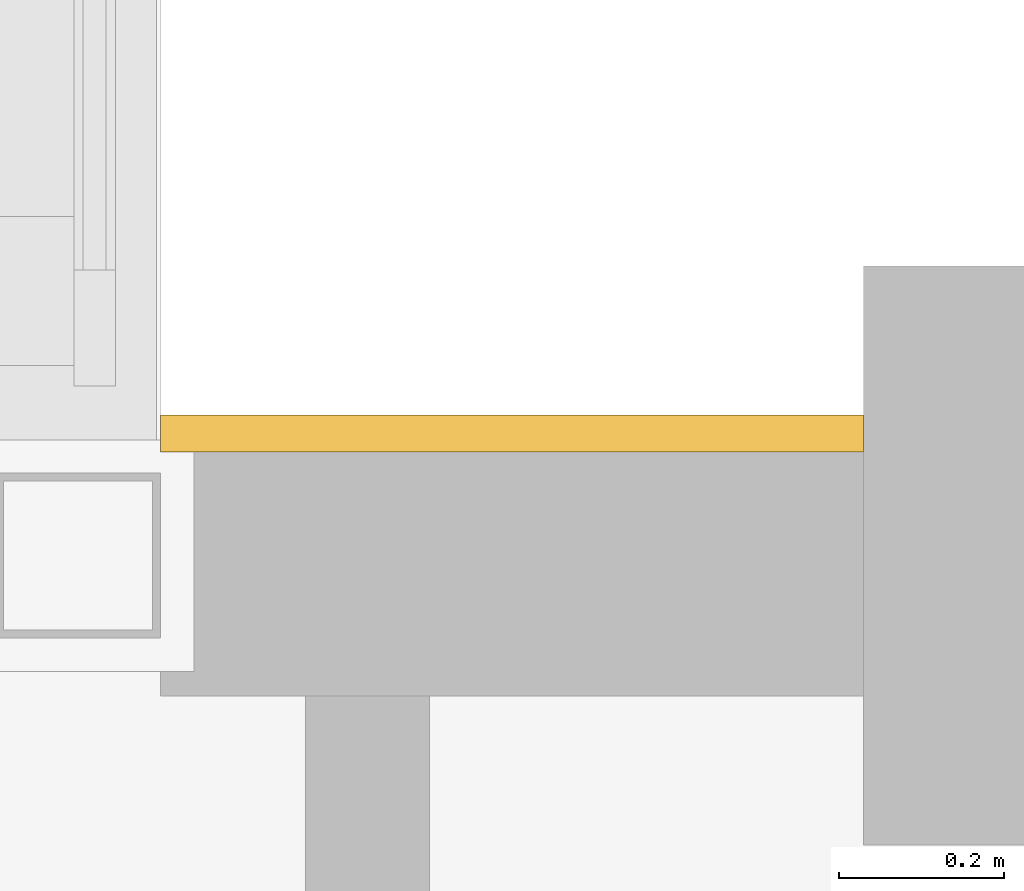
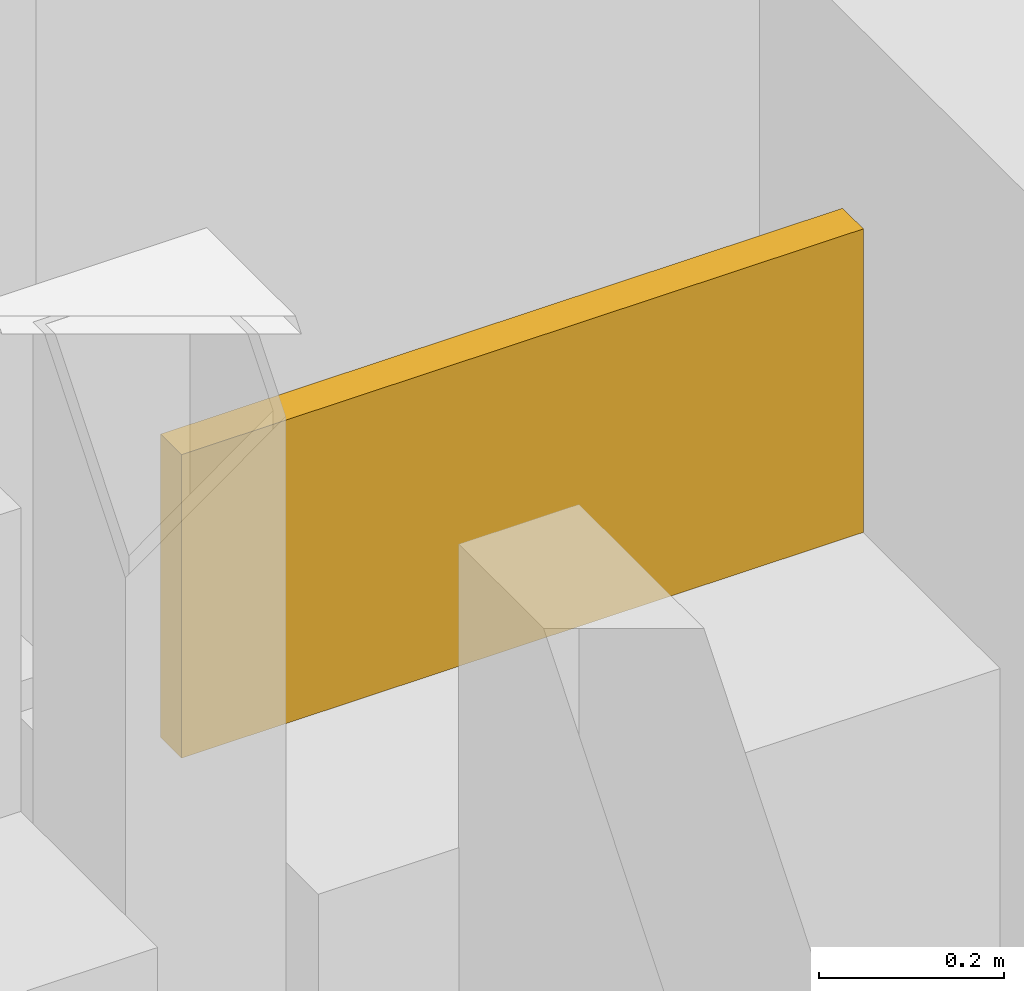
# One storey, part 130 of 131: 1 covering.
"""IFC4 building model written with IfcOpenShell, lengths in metres."""

import ifcopenshell
import ifcopenshell.guid

model = None  # the IFC model being written
_history = None  # IfcOwnerHistory: only IFC2X3 demands one
_inside = {}  # id of a spatial element -> (the spatial element, [elements in it])
_under = {}  # id of a project, library or spatial element -> (it, [spatial elements below it])
_declared = {}  # id of a project -> (the project, [libraries it declares])
_typed = {}  # id of a type object -> (the type object, [elements of that type])
_made_of = {}  # id of a material, layer set ... -> (it, [elements and type objects made of it])


def new_model(schema):
    """Start an empty IFC model of exactly this schema.

    Asked for "IFC4X3", IfcOpenShell would pick the latest addendum, in which some entities
    have other attributes; the version numbers below select the first issue.
    IFC2X3 requires an IfcOwnerHistory on every rooted entity: one is made here for all.
    """
    global model, _history
    if schema == "IFC4X3":
        model = ifcopenshell.file(schema_version=(4, 3, 0, 0))
    else:
        model = ifcopenshell.file(schema=schema)
    _inside.clear()
    _under.clear()
    _declared.clear()
    _typed.clear()
    _made_of.clear()
    _history = None
    if model.schema == "IFC2X3":
        org = make("IfcOrganization", Name="unknown")
        user = make(
            "IfcPersonAndOrganization",
            ThePerson=make("IfcPerson", FamilyName="unknown"),
            TheOrganization=org,
        )
        app = make(
            "IfcApplication",
            ApplicationDeveloper=org,
            Version="unknown",
            ApplicationFullName="unknown",
            ApplicationIdentifier="unknown",
        )
        _history = make(
            "IfcOwnerHistory",
            OwningUser=user,
            OwningApplication=app,
            ChangeAction="ADDED",
            CreationDate=0,
        )
    return model


def make(cls, **values):
    """One entity of the class cls with the attributes given. An attribute that is None is left unset."""
    return model.create_entity(
        cls, **{name: value for name, value in values.items() if value is not None}
    )


def rooted(cls, **values):
    """An entity with a GlobalId (a new one), such as an element, a storey or a relation."""
    return make(cls, GlobalId=ifcopenshell.guid.new(), OwnerHistory=_history, **values)


def si_unit(unit_type, name, prefix=None):
    """IfcSIUnit, for example si_unit("LENGTHUNIT", "METRE", prefix="MILLI")."""
    return make("IfcSIUnit", UnitType=unit_type, Prefix=prefix, Name=name)


def assignment(units):
    """IfcUnitAssignment: the units of a project."""
    return None if units is None else make("IfcUnitAssignment", Units=units)


def point(xyz):
    """IfcCartesianPoint."""
    return None if xyz is None else make("IfcCartesianPoint", Coordinates=xyz)


def direction(xyz):
    """IfcDirection."""
    return None if xyz is None else make("IfcDirection", DirectionRatios=xyz)


def frame(location, z_axis=None, x_axis=None):
    """IfcAxis2Placement3D, a coordinate frame: its origin and axes. An axis left out is left unset."""
    return make(
        "IfcAxis2Placement3D",
        Location=point(location),
        Axis=direction(z_axis),
        RefDirection=direction(x_axis),
    )


def frame_2d(location, x_axis=None):
    """IfcAxis2Placement2D, a coordinate frame in the plane: its origin and x axis."""
    return make(
        "IfcAxis2Placement2D", Location=point(location), RefDirection=direction(x_axis)
    )


def origin():
    """The frame at (0, 0, 0) with its axes left unset."""
    return frame((0.0, 0.0, 0.0))


def origin_2d():
    """The frame at (0, 0) in the plane with its x axis left unset."""
    return frame_2d((0.0, 0.0))


def place(relative_to, where):
    """IfcLocalPlacement: puts the frame where relative to a parent placement (None: the world)."""
    return make(
        "IfcLocalPlacement", PlacementRelTo=relative_to, RelativePlacement=where
    )


def context(
    kind, dimensions, precision=None, world=None, true_north=None, identifier=None
):
    """IfcGeometricRepresentationContext, for example the 3D "Model" context."""
    return make(
        "IfcGeometricRepresentationContext",
        ContextIdentifier=identifier,
        ContextType=kind,
        CoordinateSpaceDimension=dimensions,
        Precision=precision,
        WorldCoordinateSystem=world,
        TrueNorth=true_north,
    )


def subcontext(parent, identifier, kind, view, scale=None):
    """IfcGeometricRepresentationSubContext, for example "Body" below "Model"."""
    return make(
        "IfcGeometricRepresentationSubContext",
        ContextIdentifier=identifier,
        ContextType=kind,
        ParentContext=parent,
        TargetScale=scale,
        TargetView=view,
    )


def project(units=None, contexts=None):
    """IfcProject with its units and contexts."""
    return rooted(
        "IfcProject",
        Name="project",
        RepresentationContexts=contexts,
        UnitsInContext=assignment(units),
    )


def spatial(cls, under=None, at=None, **own):
    """A site, building, storey or space (cls), placed at a placement, below another one or the project."""
    s = rooted(cls, ObjectPlacement=at, **own)
    if under is not None:
        _under.setdefault(under.id(), (under, []))[1].append(s)
    return s


def profile(cls, at=None, kind="AREA", **sizes):
    """A parametric profile (cls). Its sizes go by their IFC names, for example OverallWidth=200.0."""
    return make(cls, ProfileType=kind, Position=at, **sizes)


def rectangle(**sizes):
    """IfcRectangleProfileDef."""
    return profile("IfcRectangleProfileDef", **sizes)


def extrude(swept, where, along, depth):
    """IfcExtrudedAreaSolid: the profile swept, set in the frame where, extruded along a direction by depth."""
    return make(
        "IfcExtrudedAreaSolid",
        SweptArea=swept,
        Position=where,
        ExtrudedDirection=direction(along),
        Depth=depth,
    )


def shape(context_of_items, identifier, shape_type, items):
    """IfcShapeRepresentation: the items that make up one representation, for example the "Body"."""
    return make(
        "IfcShapeRepresentation",
        ContextOfItems=context_of_items,
        RepresentationIdentifier=identifier,
        RepresentationType=shape_type,
        Items=items,
    )


def material(Name=None, Category=None):
    """IfcMaterial."""
    return make("IfcMaterial", Name=Name, Category=Category)


def layer(
    of_material, thickness, ventilated=None, Name=None, Category=None, Priority=None
):
    """IfcMaterialLayer: one layer of a wall or slab, of a material (None: an air gap)."""
    return make(
        "IfcMaterialLayer",
        Material=of_material,
        LayerThickness=thickness,
        IsVentilated=ventilated,
        Name=Name,
        Category=Category,
        Priority=Priority,
    )


def layer_set(layers, Name=None):
    """IfcMaterialLayerSet."""
    return make("IfcMaterialLayerSet", MaterialLayers=layers, LayerSetName=Name)


def made_of(thing, what):
    """Note that an element or type object is made of a material, layer set ...; save() writes the relation."""
    if what is not None:
        _made_of.setdefault(what.id(), (what, []))[1].append(thing)
    return thing


def type_object(cls, material=None, **own):
    """A type object (cls), such as IfcWallType, which elements share."""
    return made_of(rooted(cls, **own), material)


def element(
    cls,
    number,
    at=None,
    inside=None,
    cuts=None,
    type_object=None,
    material=None,
    context=None,
    identifier="Body",
    shape_type=None,
    held_by="IfcProductDefinitionShape",
    body=None,
    shapes=None,
    **own,
):
    """One element of the class cls, such as IfcWall. Its Tag is "e" and its number.

    at: its placement. inside: the storey or other place that contains it. cuts: it is an
    opening in that element (IfcRelVoidsElement). A single representation is given by context,
    identifier, shape_type and body (its items); several are given by shapes. held_by: the class
    of the entity that holds the representations. save() writes the other relations.
    """
    e = rooted(cls, Tag="e%d" % number, ObjectPlacement=at, **own)
    if body is not None:
        shapes = [shape(context, identifier, shape_type, body)]
    if shapes is not None:
        e.Representation = make(held_by, Representations=shapes)
    if inside is not None:
        _inside.setdefault(inside.id(), (inside, []))[1].append(e)
    if cuts is not None:
        rooted(
            "IfcRelVoidsElement", RelatingBuildingElement=cuts, RelatedOpeningElement=e
        )
    if type_object is not None:
        _typed.setdefault(type_object.id(), (type_object, []))[1].append(e)
    return made_of(e, material)


def aggregate(whole, parts):
    """IfcRelAggregates: a whole, such as a stair, and the parts it consists of."""
    return rooted("IfcRelAggregates", RelatingObject=whole, RelatedObjects=parts)


def save(model, path):
    """Write the relations noted so far, then the file.

    IfcRelAggregates (storeys below a building ...), IfcRelContainedInSpatialStructure (elements
    in a storey), IfcRelDefinesByType, IfcRelAssociatesMaterial and IfcRelDeclares: one each for
    every whole, place, type object, material and project.
    """
    for whole, parts in _under.values():
        aggregate(whole, parts)
    for where, things in _inside.values():
        rooted(
            "IfcRelContainedInSpatialStructure",
            RelatedElements=things,
            RelatingStructure=where,
        )
    for kind, things in _typed.values():
        rooted("IfcRelDefinesByType", RelatedObjects=things, RelatingType=kind)
    for what, things in _made_of.values():
        rooted("IfcRelAssociatesMaterial", RelatedObjects=things, RelatingMaterial=what)
    for by, libraries in _declared.values():
        rooted("IfcRelDeclares", RelatingContext=by, RelatedDefinitions=libraries)
    model.write(path)


model = new_model("IFC4")

# Units and contexts
model_context = context("Model", 3, precision=1e-05, world=origin(), true_north=direction((0.0, 1.0)))
body_context = subcontext(model_context, "Body", "Model", "MODEL_VIEW")
ifc_project = project(units=[si_unit("LENGTHUNIT", "METRE"), si_unit("AREAUNIT", "SQUARE_METRE"), si_unit("VOLUMEUNIT", "CUBIC_METRE"), si_unit("PLANEANGLEUNIT", "RADIAN"), si_unit("MASSUNIT", "GRAM", prefix="KILO")], contexts=[model_context])

# Site, building, storey
site_placement = place(None, origin())
site = spatial("IfcSite", under=ifc_project, at=site_placement, CompositionType="ELEMENT")
building_placement = place(site_placement, origin())
building = spatial("IfcBuilding", under=site, at=building_placement, Name="Celorna Specialist Clinic", CompositionType="ELEMENT")
storey_placement = place(building_placement, origin())
storey = spatial("IfcBuildingStorey", under=building, at=storey_placement, Name="L00", CompositionType="ELEMENT", Elevation=0.0)

# Covering
ifc_material = material(Name="Pero Pinheiro Lioz limestone rainscreen cladding", Category="masonry")
ifc_layer = layer(ifc_material, 0.044921875, Name="Pero Pinheiro Lioz limestone rainscreen cladding")
ifc_layer_set = layer_set([ifc_layer], Name="Pero Pinheiro Lioz limestone rainscreen cladding")
covering_type = type_object("IfcCoveringType", Name="CL-01", PredefinedType="CLADDING", material=ifc_layer_set)
covering_placement = place(storey_placement, frame((85.02490234375, 43.047607421875, 4.14013671875), z_axis=(0.0, 0.0, 1.0), x_axis=(1.0, 0.0, 0.0)))
element("IfcCovering", 1, at=covering_placement, inside=storey, type_object=covering_type, Name="Lioz spandrel cladding #385", PredefinedType="CLADDING", context=body_context, shape_type="SweptSolid", body=[
    extrude(rectangle(XDim=0.85009765625, YDim=0.044921875, at=origin_2d()), origin(), (0.0, 0.0, 1.0), 0.39990234375),
])

save(model, "model.ifc")
